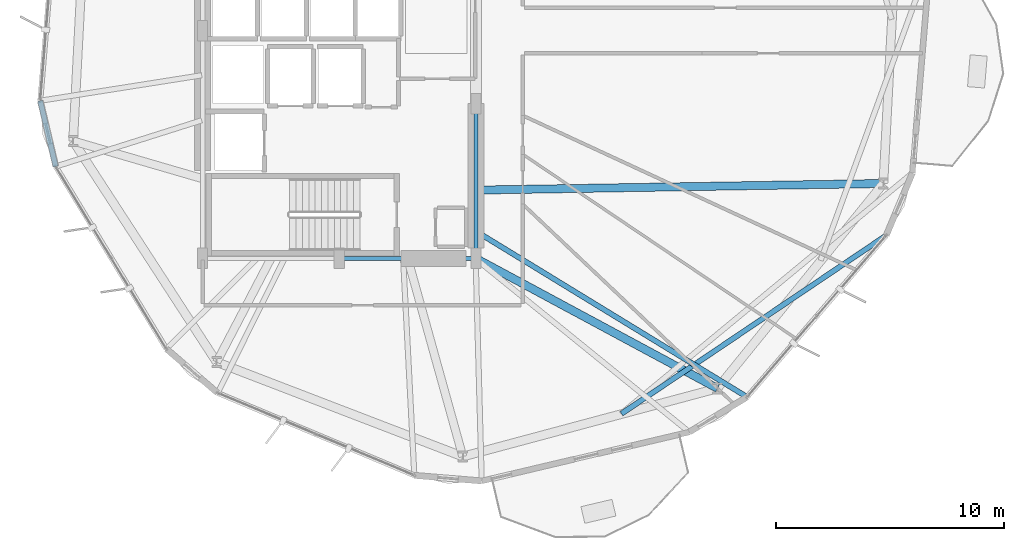
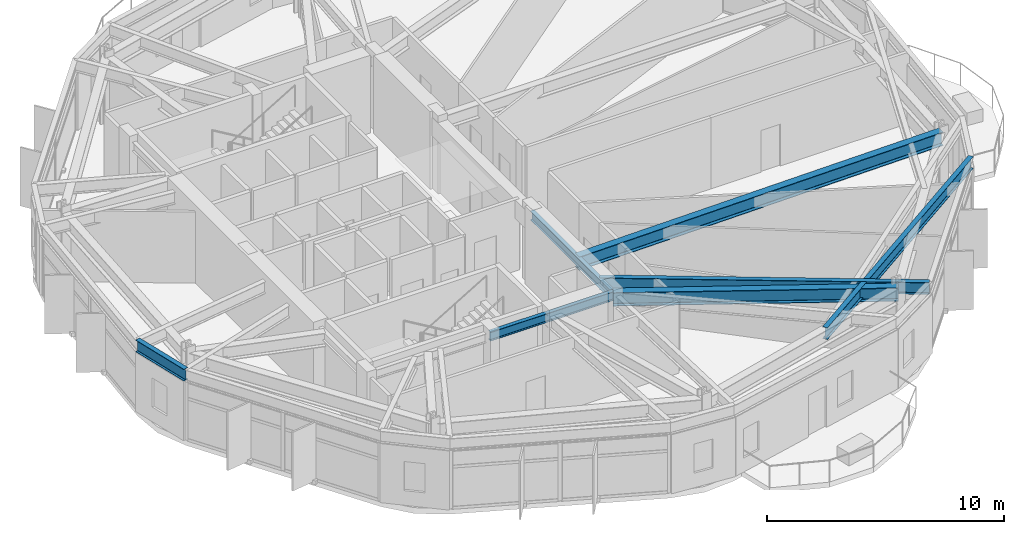
# One storey, part 5 of 21: 7 beams.
"""IFC4 building model written with IfcOpenShell, lengths in metres."""

from ifc_helpers import new_model, si_unit, direction, frame, origin, origin_2d, place, context, subcontext, project, spatial, i_section, extrude, material, material_profile, profile_set, type_object, element, save


model = new_model("IFC4")

# Units and contexts
model_context = context("Model", 3, precision=1e-05, world=origin(), true_north=direction((0.0, 1.0)))
body_context = subcontext(model_context, "Body", "Model", "MODEL_VIEW")
ifc_project = project(units=[si_unit("LENGTHUNIT", "METRE"), si_unit("AREAUNIT", "SQUARE_METRE"), si_unit("VOLUMEUNIT", "CUBIC_METRE"), si_unit("PLANEANGLEUNIT", "RADIAN"), si_unit("MASSUNIT", "GRAM", prefix="KILO")], contexts=[model_context])

# Site, building, storey
site_placement = place(None, origin())
site = spatial("IfcSite", under=ifc_project, at=site_placement, CompositionType="ELEMENT")
building_placement = place(site_placement, origin())
building = spatial("IfcBuilding", under=site, at=building_placement, Name="Soratama Intermodal Tower", CompositionType="ELEMENT")
storey_placement = place(building_placement, frame((0.0, 0.0, 78.60009765625)))
storey = spatial("IfcBuildingStorey", under=building, at=storey_placement, Name="L18", CompositionType="ELEMENT", Elevation=78.60009765625)

# Beams
ifc_material_1 = material(Name="Structural steel ASTM A992 Grade 50", Category="steel")
ifc_material_profile_1 = material_profile(ifc_material_1, i_section(OverallWidth=0.19091796875, OverallDepth=0.4599609375, WebThickness=0.010009765625, FlangeThickness=0.01611328125, FilletRadius=0.010986328125, at=origin_2d()), Name="W18X55")
ifc_profile_set_1 = profile_set([ifc_material_profile_1], Name="Structural steel ASTM A992 Grade 50")
beam_type_1 = type_object("IfcBeamType", Name="BM-FLR-W18X55", PredefinedType="BEAM", material=ifc_profile_set_1)
beam_1_placement = place(storey_placement, frame((38.60009765625, 15.0, 3.429931640625), z_axis=(1.0, 0.0, 0.0), x_axis=(0.0, 1.0, 0.0)))
element("IfcBeam", 1, at=beam_1_placement, inside=storey, type_object=beam_type_1, Name="BM-L18-CRING-02", PredefinedType="BEAM", context=body_context, shape_type="SweptSolid", body=[
    extrude(i_section(OverallWidth=0.19091796875, OverallDepth=0.4599609375, WebThickness=0.010009765625, FlangeThickness=0.01611328125, FilletRadius=0.010986328125, at=origin_2d()), origin(), (0.0, 0.0, 1.0), 6.0),
])
beam_2_placement = place(storey_placement, frame((44.60009765625, 15.0, 3.429931640625), z_axis=(0.0, 1.0, 0.0), x_axis=(-1.0, 0.0, 0.0)))
element("IfcBeam", 2, at=beam_2_placement, inside=storey, type_object=beam_type_1, Name="BM-L18-CRING-03", PredefinedType="BEAM", context=body_context, shape_type="SweptSolid", body=[
    extrude(i_section(OverallWidth=0.19091796875, OverallDepth=0.4599609375, WebThickness=0.010009765625, FlangeThickness=0.01611328125, FilletRadius=0.010986328125, at=origin_2d()), origin(), (0.0, 0.0, 1.0), 6.800048828125),
])
ifc_material_2 = material(Name="Structural steel ASTM A992 Grade 50", Category="steel")
ifc_material_profile_2 = material_profile(ifc_material_2, i_section(OverallWidth=0.35498046875, OverallDepth=0.695068359375, WebThickness=0.015380859375, FlangeThickness=0.02490234375, FilletRadius=0.01611328125, at=origin_2d()), Name="W27X146")
ifc_profile_set_2 = profile_set([ifc_material_profile_2], Name="Structural steel ASTM A992 Grade 50")
beam_type_2 = type_object("IfcBeamType", Name="BM-RING-W27X146", PredefinedType="BEAM", material=ifc_profile_set_2)
beam_3_placement = place(storey_placement, frame((44.60009765625, 15.0, 3.3125), z_axis=(0.880663887759, -0.473741613961, 0.0), x_axis=(0.473741613961, 0.880663887759, 0.0)))
element("IfcBeam", 3, at=beam_3_placement, inside=storey, type_object=beam_type_2, Name="BM-L18-RAD-09", PredefinedType="BEAM", context=body_context, shape_type="SweptSolid", body=[
    extrude(i_section(OverallWidth=0.35498046875, OverallDepth=0.695068359375, WebThickness=0.015380859375, FlangeThickness=0.02490234375, FilletRadius=0.01611328125, at=origin_2d()), origin(), (0.0, 0.0, 1.0), 12.03173828125),
])
beam_4_placement = place(storey_placement, frame((44.60009765625, 18.0, 3.3125), z_axis=(0.999867526408, 0.016276659176, 0.0), x_axis=(-0.016276659176, 0.999867526408, 0.0)))
element("IfcBeam", 4, at=beam_4_placement, inside=storey, type_object=beam_type_2, Name="BM-L18-RAD-10", PredefinedType="BEAM", context=body_context, shape_type="SweptSolid", body=[
    extrude(i_section(OverallWidth=0.35498046875, OverallDepth=0.695068359375, WebThickness=0.015380859375, FlangeThickness=0.02490234375, FilletRadius=0.01611328125, at=origin_2d()), origin(), (0.0, 0.0, 1.0), 17.87939453125),
])
ifc_material_3 = material(Name="Structural steel ASTM A992 Grade 50", Category="steel")
ifc_material_profile_3 = material_profile(ifc_material_3, i_section(OverallWidth=0.22900390625, OverallDepth=0.612060546875, WebThickness=0.011962890625, FlangeThickness=0.01953125, FilletRadius=0.012939453125, at=origin_2d()), Name="W24X84")
ifc_profile_set_3 = profile_set([ifc_material_profile_3], Name="Structural steel ASTM A992 Grade 50")
beam_type_3 = type_object("IfcBeamType", Name="BM-SPN-W24X84", PredefinedType="SPANDREL", material=ifc_profile_set_3)
beam_5_placement = place(storey_placement, frame((25.472900390625, 21.922119140625, 3.35400390625), z_axis=(0.229617282914, -0.973280999191, 0.0), x_axis=(0.973280999191, 0.229617282914, 0.0)))
element("IfcBeam", 5, at=beam_5_placement, inside=storey, type_object=beam_type_3, Name="BS-L18-CRN05", PredefinedType="SPANDREL", context=body_context, shape_type="SweptSolid", body=[
    extrude(i_section(OverallWidth=0.22900390625, OverallDepth=0.612060546875, WebThickness=0.011962890625, FlangeThickness=0.01953125, FilletRadius=0.012939453125, at=origin_2d()), origin(), (0.0, 0.0, 1.0), 2.966552734375),
])
ifc_material_4 = material(Name="Structural steel ASTM A992 Grade 50", Category="steel")
ifc_material_profile_4 = material_profile(ifc_material_4, i_section(OverallWidth=0.22900390625, OverallDepth=0.612060546875, WebThickness=0.011962890625, FlangeThickness=0.01953125, FilletRadius=0.012939453125, at=origin_2d()), Name="W24X84")
ifc_profile_set_4 = profile_set([ifc_material_profile_4], Name="Structural steel ASTM A992 Grade 50")
beam_type_4 = type_object("IfcBeamType", Name="BM-TIE-W24X84", PredefinedType="BEAM", material=ifc_profile_set_4)
beam_6_placement = place(storey_placement, frame((44.634033203125, 16.1708984375, 3.35400390625), z_axis=(0.853207603861, -0.521571456959, 0.0), x_axis=(0.521571456959, 0.853207603861, 0.0)))
element("IfcBeam", 6, at=beam_6_placement, inside=storey, type_object=beam_type_4, Name="BM-L18-TIE0-09", PredefinedType="BEAM", context=body_context, shape_type="SweptSolid", body=[
    extrude(i_section(OverallWidth=0.22900390625, OverallDepth=0.612060546875, WebThickness=0.011962890625, FlangeThickness=0.01953125, FilletRadius=0.012939453125, at=origin_2d()), origin(), (0.0, 0.0, 1.0), 13.904052734375),
])
beam_7_placement = place(storey_placement, frame((50.98291015625, 8.18505859375, 3.35400390625), z_axis=(0.829487167448, 0.55852577294, 0.0), x_axis=(-0.55852577294, 0.829487167448, 0.0)))
element("IfcBeam", 7, at=beam_7_placement, inside=storey, type_object=beam_type_4, Name="BM-L18-TIE1-09", PredefinedType="BEAM", context=body_context, shape_type="SweptSolid", body=[
    extrude(i_section(OverallWidth=0.22900390625, OverallDepth=0.612060546875, WebThickness=0.011962890625, FlangeThickness=0.01953125, FilletRadius=0.012939453125, at=origin_2d()), origin(), (0.0, 0.0, 1.0), 14.013427734375),
])

save(model, "model.ifc")
